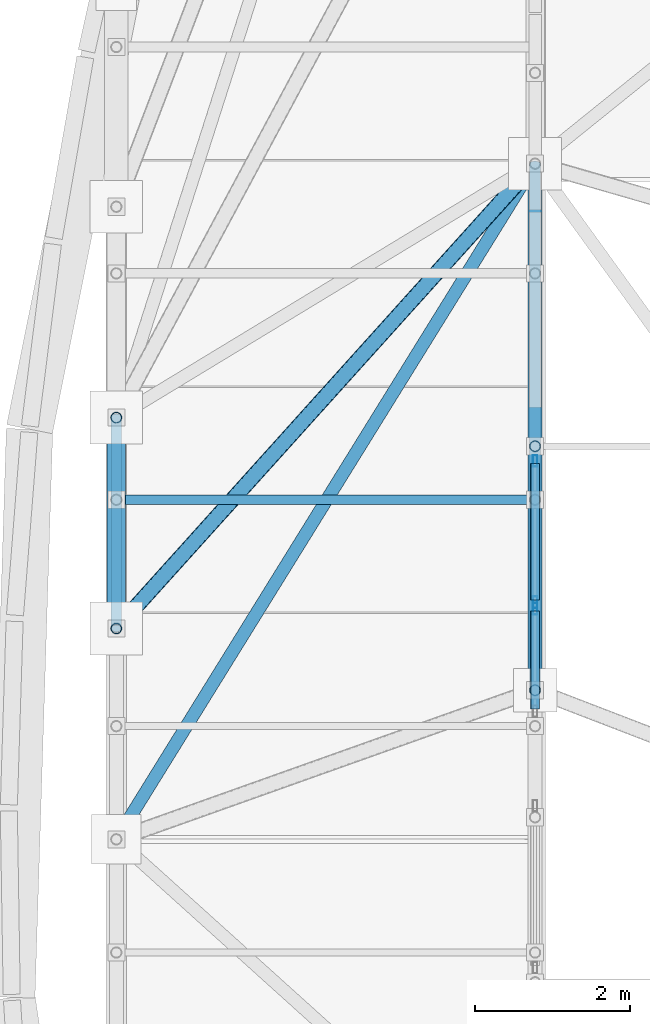
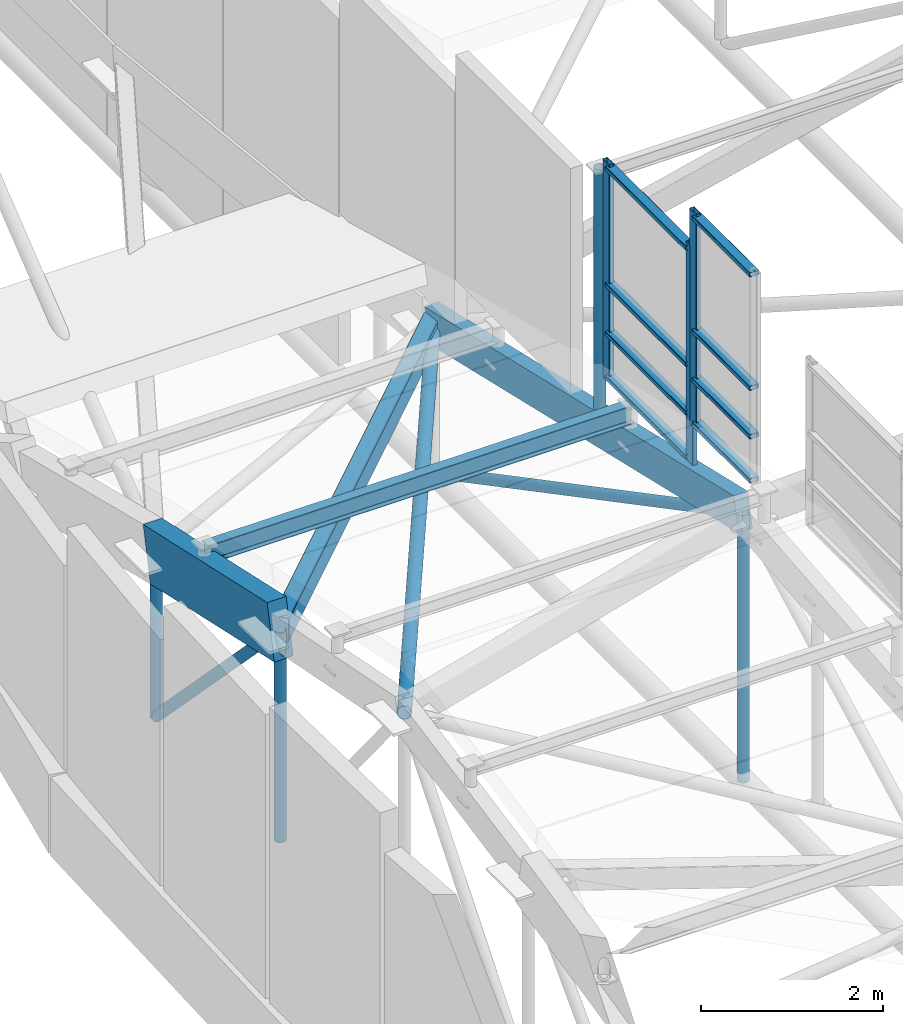
# One storey, part 40 of 188: 22 members, 2 elements without a shape of their own.
"""IFC4 building model written with IfcOpenShell, lengths in metres."""

from ifc_helpers import new_model, si_unit, direction, frame, origin, origin_2d, place, context, subcontext, project, spatial, rectangle, hollow_rectangle, hollow_circle, i_section, extrude, material, layer, layer_set, material_profile, profile_set, type_object, element, aggregate, save


model = new_model("IFC4")

# Units and contexts
model_context = context("Model", 3, precision=1e-05, world=origin(), true_north=direction((0.0, 1.0)))
body_context = subcontext(model_context, "Body", "Model", "MODEL_VIEW")
ifc_project = project(units=[si_unit("LENGTHUNIT", "METRE"), si_unit("AREAUNIT", "SQUARE_METRE"), si_unit("VOLUMEUNIT", "CUBIC_METRE"), si_unit("PLANEANGLEUNIT", "RADIAN"), si_unit("MASSUNIT", "GRAM", prefix="KILO")], contexts=[model_context])

# Site, building, storey
site_placement = place(None, origin())
site = spatial("IfcSite", under=ifc_project, at=site_placement, CompositionType="ELEMENT")
building_placement = place(site_placement, origin())
building = spatial("IfcBuilding", under=site, at=building_placement, Name="Kisaragi Civic Commons", CompositionType="ELEMENT")
storey_placement = place(building_placement, frame((0.0, 0.0, 9.60009765625)))
storey = spatial("IfcBuildingStorey", under=building, at=storey_placement, Name="L02", CompositionType="ELEMENT", Elevation=9.60009765625)

# Member
ifc_material_1 = material(Name="Steel SN400 (SN400B)", Category="steel")
ifc_material_profile_1 = material_profile(ifc_material_1, hollow_circle(Radius=0.08251953125, WallThickness=0.006103515625, at=origin_2d()), Name="CHS-165.2x6.0", Category="steel")
ifc_profile_set_1 = profile_set([ifc_material_profile_1], Name="Steel SN400 (SN400B)")
member_type_1 = type_object("IfcMemberType", Name="BR-02", PredefinedType="BRACE", material=ifc_profile_set_1)
member_1_placement = place(storey_placement, frame((1.39990234375, 33.3154296875, 3.260986328125), z_axis=(0.517471405701, 0.834939961032, -0.187346218945), x_axis=(-0.849989929533, 0.526798936685, 0.0)))
element("IfcMember", 1, at=member_1_placement, inside=storey, type_object=member_type_1, Name="V1 diagonal gridshell steel brace 4", PredefinedType="BRACE", context=body_context, shape_type="SweptSolid", body=[
    extrude(hollow_circle(Radius=0.08251953125, WallThickness=0.006103515625, at=origin_2d()), origin(), (0.0, 0.0, 1.0), 10.435546875),
])

# Curtain wall, member
ifc_material_2 = material(Name="Thermally broken anodized aluminium and low-E double glazing", Category="aluminium")
ifc_layer = layer(ifc_material_2, 0.14990234375, Name="Thermally broken anodized aluminium and low-E double glazing", Category="aluminium")
ifc_layer_set = layer_set([ifc_layer], Name="Thermally broken anodized aluminium and low-E double glazing")
curtain_wall_type = type_object("IfcCurtainWallType", Name="CW-03", PredefinedType="NOTDEFINED", material=ifc_layer_set)
curtain_wall_1_placement = place(storey_placement, origin())
curtain_wall_1 = element("IfcCurtainWall", 2, at=curtain_wall_1_placement, inside=storey, type_object=curtain_wall_type, Name="L02 curtain wall CW-03 CW-CL-V1-135", PredefinedType="NOTDEFINED")
ifc_material_profile_2 = material_profile(ifc_material_2, hollow_rectangle(XDim=0.06005859375, YDim=0.14990234375, WallThickness=0.00390625, InnerFilletRadius=0.00390625, OuterFilletRadius=0.008056640625, at=origin_2d()), Name="CWM-60x150x4", Category="aluminium")
ifc_profile_set_2 = profile_set([ifc_material_profile_2], Name="Thermally broken anodized aluminium and low-E double glazing")
member_type_2 = type_object("IfcMemberType", Name="CWM-01", PredefinedType="MULLION", material=ifc_profile_set_2)
member_2_placement = place(storey_placement, frame((6.800048828125, 36.289306640625, 3.407958984375), z_axis=(0.0, 0.0, 1.0), x_axis=(-1.0, 0.0, 0.0)))
member_2 = element("IfcMember", 3, at=member_2_placement, type_object=member_type_2, Name="CW-03 mullion 2", PredefinedType="MULLION", context=body_context, shape_type="SweptSolid", body=[
    extrude(hollow_rectangle(XDim=0.06005859375, YDim=0.14990234375, WallThickness=0.00390625, InnerFilletRadius=0.00390625, OuterFilletRadius=0.008056640625, at=origin_2d()), origin(), (0.0, 0.0, 1.0), 2.8798828125),
])

# Curtain wall, members
curtain_wall_2_placement = place(storey_placement, origin())
curtain_wall_2 = element("IfcCurtainWall", 4, at=curtain_wall_2_placement, inside=storey, type_object=curtain_wall_type, Name="L02 curtain wall CW-03 CW-CL-V1-136", PredefinedType="NOTDEFINED")
member_3_placement = place(storey_placement, frame((6.800048828125, 36.373291015625, 2.876220703125), z_axis=(0.0, 0.0, 1.0), x_axis=(-1.0, 0.0, 0.0)))
member_3 = element("IfcMember", 5, at=member_3_placement, type_object=member_type_2, Name="CW-03 mullion 1", PredefinedType="MULLION", context=body_context, shape_type="SweptSolid", body=[
    extrude(hollow_rectangle(XDim=0.06005859375, YDim=0.14990234375, WallThickness=0.00390625, InnerFilletRadius=0.00390625, OuterFilletRadius=0.008056640625, at=origin_2d()), origin(), (0.0, 0.0, 1.0), 2.917236328125),
])
member_4_placement = place(storey_placement, frame((6.800048828125, 38.194580078125, 2.876220703125), z_axis=(0.0, 0.0, 1.0), x_axis=(-1.0, 0.0, 0.0)))
member_4 = element("IfcMember", 6, at=member_4_placement, type_object=member_type_2, Name="CW-03 mullion 2", PredefinedType="MULLION", context=body_context, shape_type="SweptSolid", body=[
    extrude(hollow_rectangle(XDim=0.06005859375, YDim=0.14990234375, WallThickness=0.00390625, InnerFilletRadius=0.00390625, OuterFilletRadius=0.008056640625, at=origin_2d()), origin(), (0.0, 0.0, 1.0), 2.917236328125),
])

# Member
ifc_material_profile_3 = material_profile(ifc_material_2, hollow_rectangle(XDim=0.1201171875, YDim=0.06005859375, WallThickness=0.00390625, InnerFilletRadius=0.00390625, OuterFilletRadius=0.008056640625, at=origin_2d()), Name="CWT-60x120x4", Category="aluminium")
ifc_profile_set_3 = profile_set([ifc_material_profile_3], Name="Thermally broken anodized aluminium and low-E double glazing")
member_type_3 = type_object("IfcMemberType", Name="CWT-01", PredefinedType="USERDEFINED", material=ifc_profile_set_3)
member_5_placement = place(storey_placement, frame((6.800048828125, 34.9951171875, 3.468017578125), z_axis=(0.0, 1.0, 0.0), x_axis=(-1.0, 0.0, 0.0)))
member_5 = element("IfcMember", 7, at=member_5_placement, type_object=member_type_3, Name="CW-03 transom 1.1", ObjectType="TRANSOM", PredefinedType="USERDEFINED", context=body_context, shape_type="SweptSolid", body=[
    extrude(hollow_rectangle(XDim=0.1201171875, YDim=0.06005859375, WallThickness=0.00390625, InnerFilletRadius=0.00390625, OuterFilletRadius=0.008056640625, at=origin_2d()), origin(), (0.0, 0.0, 1.0), 1.264404296875),
])

member_6_placement = place(storey_placement, frame((6.800048828125, 34.9951171875, 4.05810546875), z_axis=(0.0, 1.0, 0.0), x_axis=(-1.0, 0.0, 0.0)))
member_6 = element("IfcMember", 8, at=member_6_placement, type_object=member_type_3, Name="CW-03 transom 1.2", ObjectType="TRANSOM", PredefinedType="USERDEFINED", context=body_context, shape_type="SweptSolid", body=[
    extrude(hollow_rectangle(XDim=0.1201171875, YDim=0.06005859375, WallThickness=0.00390625, InnerFilletRadius=0.00390625, OuterFilletRadius=0.008056640625, at=origin_2d()), origin(), (0.0, 0.0, 1.0), 1.264404296875),
])

member_7_placement = place(storey_placement, frame((6.800048828125, 34.9951171875, 4.7080078125), z_axis=(0.0, 1.0, 0.0), x_axis=(-1.0, 0.0, 0.0)))
member_7 = element("IfcMember", 9, at=member_7_placement, type_object=member_type_3, Name="CW-03 transom 1.3", ObjectType="TRANSOM", PredefinedType="USERDEFINED", context=body_context, shape_type="SweptSolid", body=[
    extrude(hollow_rectangle(XDim=0.1201171875, YDim=0.06005859375, WallThickness=0.00390625, InnerFilletRadius=0.00390625, OuterFilletRadius=0.008056640625, at=origin_2d()), origin(), (0.0, 0.0, 1.0), 1.264404296875),
])

member_8_placement = place(storey_placement, frame((6.800048828125, 34.9951171875, 6.227783203125), z_axis=(0.0, 1.0, 0.0), x_axis=(-1.0, 0.0, 0.0)))
member_8 = element("IfcMember", 10, at=member_8_placement, type_object=member_type_3, Name="CW-03 transom 1.4", ObjectType="TRANSOM", PredefinedType="USERDEFINED", context=body_context, shape_type="SweptSolid", body=[
    extrude(hollow_rectangle(XDim=0.1201171875, YDim=0.06005859375, WallThickness=0.00390625, InnerFilletRadius=0.00390625, OuterFilletRadius=0.008056640625, at=origin_2d()), origin(), (0.0, 0.0, 1.0), 1.264404296875),
])

aggregate(curtain_wall_1, [member_2, member_5, member_6, member_7, member_8])

member_9_placement = place(storey_placement, frame((6.800048828125, 36.4033203125, 2.93603515625), z_axis=(0.0, 1.0, 0.0), x_axis=(-1.0, 0.0, 0.0)))
member_9 = element("IfcMember", 11, at=member_9_placement, type_object=member_type_3, Name="CW-03 transom 1.1", ObjectType="TRANSOM", PredefinedType="USERDEFINED", context=body_context, shape_type="SweptSolid", body=[
    extrude(hollow_rectangle(XDim=0.1201171875, YDim=0.06005859375, WallThickness=0.00390625, InnerFilletRadius=0.00390625, OuterFilletRadius=0.008056640625, at=origin_2d()), origin(), (0.0, 0.0, 1.0), 1.76123046875),
])

member_10_placement = place(storey_placement, frame((6.800048828125, 36.4033203125, 3.526123046875), z_axis=(0.0, 1.0, 0.0), x_axis=(-1.0, 0.0, 0.0)))
member_10 = element("IfcMember", 12, at=member_10_placement, type_object=member_type_3, Name="CW-03 transom 1.2", ObjectType="TRANSOM", PredefinedType="USERDEFINED", context=body_context, shape_type="SweptSolid", body=[
    extrude(hollow_rectangle(XDim=0.1201171875, YDim=0.06005859375, WallThickness=0.00390625, InnerFilletRadius=0.00390625, OuterFilletRadius=0.008056640625, at=origin_2d()), origin(), (0.0, 0.0, 1.0), 1.76123046875),
])

member_11_placement = place(storey_placement, frame((6.800048828125, 36.4033203125, 4.176025390625), z_axis=(0.0, 1.0, 0.0), x_axis=(-1.0, 0.0, 0.0)))
member_11 = element("IfcMember", 13, at=member_11_placement, type_object=member_type_3, Name="CW-03 transom 1.3", ObjectType="TRANSOM", PredefinedType="USERDEFINED", context=body_context, shape_type="SweptSolid", body=[
    extrude(hollow_rectangle(XDim=0.1201171875, YDim=0.06005859375, WallThickness=0.00390625, InnerFilletRadius=0.00390625, OuterFilletRadius=0.008056640625, at=origin_2d()), origin(), (0.0, 0.0, 1.0), 1.76123046875),
])

member_12_placement = place(storey_placement, frame((6.800048828125, 36.4033203125, 5.7333984375), z_axis=(0.0, 1.0, 0.0), x_axis=(-1.0, 0.0, 0.0)))
member_12 = element("IfcMember", 14, at=member_12_placement, type_object=member_type_3, Name="CW-03 transom 1.4", ObjectType="TRANSOM", PredefinedType="USERDEFINED", context=body_context, shape_type="SweptSolid", body=[
    extrude(hollow_rectangle(XDim=0.1201171875, YDim=0.06005859375, WallThickness=0.00390625, InnerFilletRadius=0.00390625, OuterFilletRadius=0.008056640625, at=origin_2d()), origin(), (0.0, 0.0, 1.0), 1.76123046875),
])

aggregate(curtain_wall_2, [member_3, member_4, member_9, member_10, member_11, member_12])

# Members
ifc_material_3 = material(Name="Steel SN490 (SN490B)", Category="steel")
ifc_material_profile_4 = material_profile(ifc_material_3, hollow_rectangle(XDim=0.199951171875, YDim=0.300048828125, WallThickness=0.009033203125, InnerFilletRadius=0.009033203125, OuterFilletRadius=0.01806640625, at=origin_2d()), Name="STKR-300x200x9", Category="steel")
ifc_profile_set_4 = profile_set([ifc_material_profile_4], Name="Steel SN490 (SN490B)")
member_type_4 = type_object("IfcMemberType", Name="GC-02", PredefinedType="CHORD", material=ifc_profile_set_4)
member_13_placement = place(storey_placement, frame((1.39990234375, 36.03466796875, 2.729736328125), z_axis=(0.65916417561, 0.731639752041, -0.173798339534), x_axis=(-0.742946458336, 0.669350849739, 0.0)))
element("IfcMember", 15, at=member_13_placement, inside=storey, type_object=member_type_4, Name="V1 wave gridshell chord GC-02 5", PredefinedType="CHORD", context=body_context, shape_type="SweptSolid", body=[
    extrude(hollow_rectangle(XDim=0.199951171875, YDim=0.300048828125, WallThickness=0.009033203125, InnerFilletRadius=0.009033203125, OuterFilletRadius=0.01806640625, at=origin_2d()), origin(), (0.0, 0.0, 1.0), 8.1923828125),
])
ifc_material_4 = material(Name="Glulam E120-F330", Category="wood")
ifc_material_profile_5 = material_profile(ifc_material_4, rectangle(XDim=0.239990234375, YDim=0.719970703125, at=origin_2d()), Name="GL-240x720", Category="wood")
ifc_profile_set_5 = profile_set([ifc_material_profile_5], Name="Glulam E120-F330")
member_type_5 = type_object("IfcMemberType", Name="GR-02", PredefinedType="RAFTER", material=ifc_profile_set_5)
member_14_placement = place(storey_placement, frame((1.39990234375, 36.03466796875, 2.729736328125), z_axis=(0.0, 0.976300362484, -0.216419967227), x_axis=(-1.0, 0.0, 0.0)))
element("IfcMember", 16, at=member_14_placement, inside=storey, type_object=member_type_5, Name="V1 glulam arch rib GR-02 6", PredefinedType="RAFTER", context=body_context, shape_type="SweptSolid", body=[
    extrude(rectangle(XDim=0.239990234375, YDim=0.719970703125, at=origin_2d()), origin(), (0.0, 0.0, 1.0), 2.78515625),
])
ifc_material_profile_6 = material_profile(ifc_material_4, rectangle(XDim=0.179931640625, YDim=0.449951171875, at=origin_2d()), Name="GL-180x450", Category="wood")
ifc_profile_set_6 = profile_set([ifc_material_profile_6], Name="Glulam E120-F330")
member_type_6 = type_object("IfcMemberType", Name="GR-05", PredefinedType="RAFTER", material=ifc_profile_set_6)
member_15_placement = place(storey_placement, frame((6.800048828125, 35.238037109375, 2.88720703125), z_axis=(0.0, 0.973941330071, -0.226800100484), x_axis=(-1.0, 0.0, 0.0)))
element("IfcMember", 17, at=member_15_placement, inside=storey, type_object=member_type_6, Name="V1 glulam arch rib GR-05 13", PredefinedType="RAFTER", context=body_context, shape_type="SweptSolid", body=[
    extrude(rectangle(XDim=0.179931640625, YDim=0.449951171875, at=origin_2d()), origin(), (0.0, 0.0, 1.0), 6.97216796875),
])
ifc_material_profile_7 = material_profile(ifc_material_1, i_section(OverallWidth=0.125, OverallDepth=0.25, WebThickness=0.006103515625, FlangeThickness=0.009033203125, FilletRadius=0.008056640625, at=origin_2d()), Name="H-250x125x6x9", Category="steel")
ifc_profile_set_7 = profile_set([ifc_material_profile_7], Name="Steel SN400 (SN400B)")
member_type_7 = type_object("IfcMemberType", Name="PR-01", PredefinedType="PURLIN", material=ifc_profile_set_7)
member_16_placement = place(storey_placement, frame((1.39990234375, 37.6943359375, 2.747802734375), z_axis=(1.0, 0.0, 0.0), x_axis=(0.0, 1.0, 0.0)))
element("IfcMember", 18, at=member_16_placement, inside=storey, type_object=member_type_7, Name="V1 wave vault steel purlin 6", PredefinedType="PURLIN", context=body_context, shape_type="SweptSolid", body=[
    extrude(i_section(OverallWidth=0.125, OverallDepth=0.25, WebThickness=0.006103515625, FlangeThickness=0.009033203125, FilletRadius=0.008056640625, at=origin_2d()), origin(), (0.0, 0.0, 1.0), 5.400146484375),
])
ifc_material_profile_8 = material_profile(ifc_material_3, hollow_circle(Radius=0.06982421875, WallThickness=0.006103515625, at=origin_2d()), Name="CHS-139.8x6.0", Category="steel")
ifc_profile_set_8 = profile_set([ifc_material_profile_8], Name="Steel SN490 (SN490B)")
member_type_8 = type_object("IfcMemberType", Name="ST-H1", PredefinedType="STRUT", material=ifc_profile_set_8)
member_17_placement = place(storey_placement, frame((1.39990234375, 36.03466796875, -0.080078125), z_axis=(0.0, 0.0, 1.0), x_axis=(1.0, 0.0, 0.0)))
element("IfcMember", 19, at=member_17_placement, inside=storey, type_object=member_type_8, Name="V1 arch tie hanger strut 6", PredefinedType="STRUT", context=body_context, shape_type="SweptSolid", body=[
    extrude(hollow_circle(Radius=0.06982421875, WallThickness=0.006103515625, at=origin_2d()), origin(), (0.0, 0.0, 1.0), 2.809814453125),
])
member_18_placement = place(storey_placement, frame((1.39990234375, 38.75390625, -0.080078125), z_axis=(0.0, 0.0, 1.0), x_axis=(1.0, 0.0, 0.0)))
element("IfcMember", 20, at=member_18_placement, inside=storey, type_object=member_type_8, Name="V1 arch tie hanger strut 7", PredefinedType="STRUT", context=body_context, shape_type="SweptSolid", body=[
    extrude(hollow_circle(Radius=0.06982421875, WallThickness=0.006103515625, at=origin_2d()), origin(), (0.0, 0.0, 1.0), 2.20703125),
])
member_19_placement = place(storey_placement, frame((1.39990234375, 38.75390625, -0.080078125), z_axis=(0.0, -0.695429748006, 0.718594089586), x_axis=(1.0, 0.0, 0.0)))
element("IfcMember", 21, at=member_19_placement, inside=storey, type_object=member_type_8, Name="V1 tied arch truss diagonal web strut 13", PredefinedType="STRUT", context=body_context, shape_type="SweptSolid", body=[
    extrude(hollow_circle(Radius=0.06982421875, WallThickness=0.006103515625, at=origin_2d()), origin(), (0.0, 0.0, 1.0), 3.91015625),
])
member_20_placement = place(storey_placement, frame((6.800048828125, 35.238037109375, -0.691162109375), z_axis=(0.0, 0.0, 1.0), x_axis=(1.0, 0.0, 0.0)))
element("IfcMember", 22, at=member_20_placement, inside=storey, type_object=member_type_8, Name="V1 arch tie hanger strut 19", PredefinedType="STRUT", context=body_context, shape_type="SweptSolid", body=[
    extrude(hollow_circle(Radius=0.06982421875, WallThickness=0.006103515625, at=origin_2d()), origin(), (0.0, 0.0, 1.0), 3.578369140625),
])
member_21_placement = place(storey_placement, frame((6.800048828125, 42.028564453125, -0.691162109375), z_axis=(0.0, -0.88468145261, 0.466196018225), x_axis=(1.0, 0.0, 0.0)))
element("IfcMember", 23, at=member_21_placement, inside=storey, type_object=member_type_8, Name="V1 tied arch truss diagonal web strut 26", PredefinedType="STRUT", context=body_context, shape_type="SweptSolid", body=[
    extrude(hollow_circle(Radius=0.06982421875, WallThickness=0.006103515625, at=origin_2d()), origin(), (0.0, 0.0, 1.0), 7.67578125),
])
member_22_placement = place(storey_placement, frame((6.800048828125, 38.384521484375, 2.154541015625), z_axis=(0.0, 0.0, 1.0), x_axis=(1.0, 0.0, 0.0)))
element("IfcMember", 24, at=member_22_placement, inside=storey, type_object=member_type_8, Name="V1 clerestory monitor horizontal tie strut 2.1.5", PredefinedType="STRUT", context=body_context, shape_type="SweptSolid", body=[
    extrude(hollow_circle(Radius=0.06982421875, WallThickness=0.006103515625, at=origin_2d()), origin(), (0.0, 0.0, 1.0), 3.450439453125),
])

save(model, "model.ifc")
